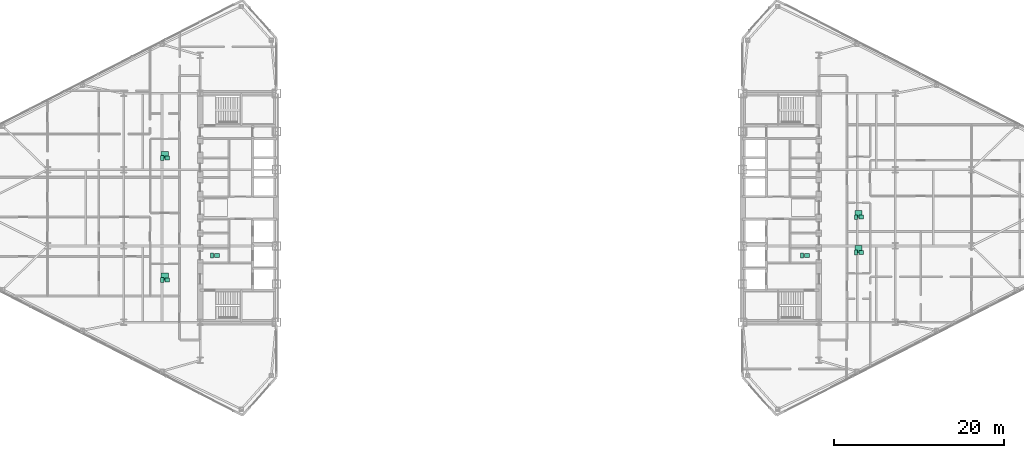
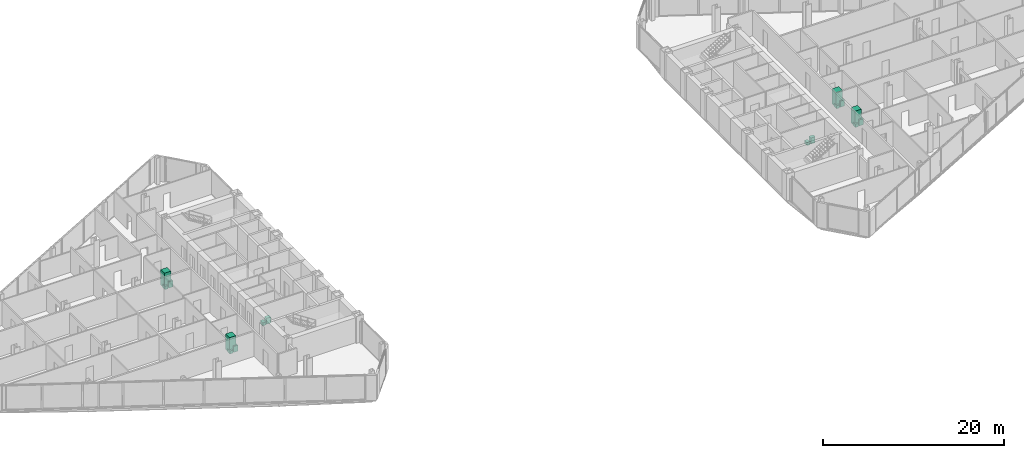
# One storey, part 24 of 24: 16 sanitary terminals.
"""IFC4 building model written with IfcOpenShell, lengths in metres."""

from ifc_helpers import new_model, si_unit, direction, frame, origin, origin_2d, place, context, subcontext, project, spatial, rectangle, extrude, source, transform, mapped, material, type_object, type_shapes, element, save


model = new_model("IFC4")

# Units and contexts
model_context = context("Model", 3, precision=1e-05, world=origin(), true_north=direction((0.0, 1.0)))
body_context = subcontext(model_context, "Body", "Model", "MODEL_VIEW")
ifc_project = project(units=[si_unit("LENGTHUNIT", "METRE"), si_unit("AREAUNIT", "SQUARE_METRE"), si_unit("VOLUMEUNIT", "CUBIC_METRE"), si_unit("PLANEANGLEUNIT", "RADIAN"), si_unit("MASSUNIT", "GRAM", prefix="KILO")], contexts=[model_context])

# Site, building, storey
site_placement = place(None, origin())
site = spatial("IfcSite", under=ifc_project, at=site_placement, CompositionType="ELEMENT")
building_placement = place(site_placement, origin())
building = spatial("IfcBuilding", under=site, at=building_placement, Name="Seokmaru Belvedere", CompositionType="ELEMENT")
storey_placement = place(building_placement, frame((0.0, 0.0, 124.800048828125)))
storey = spatial("IfcBuildingStorey", under=building, at=storey_placement, Name="L33", CompositionType="ELEMENT", Elevation=124.800048828125)

# Sanitary terminals
ifc_material_1 = material(Name="Vitreous China Sanitaryware")
sanitary_terminal_type_1 = type_object("IfcSanitaryTerminalType", Name="Wall-Hung Vitreous China WC Pan", PredefinedType="TOILETPAN", material=ifc_material_1)
shared_shape_1 = source(origin(), body_context, "Body", "SweptSolid", [
    extrude(rectangle(XDim=0.3798828125, YDim=0.56005859375, at=origin_2d()), origin(), (0.0, 0.0, 1.0), 0.419921875),
])
type_shapes(sanitary_terminal_type_1, [shared_shape_1])
for number, where, z_axis, x_axis, name in (
    (1, (-35.10009765625, -5.625, 0.0), (0.0, 0.0, 1.0), (1.0, 0.0, 0.0), "L33 Vitreous China WC 0186"),
    (2, (34.5, -5.625, 0.0), (0.0, 0.0, 1.0), (1.0, 0.0, 0.0), "L33 Vitreous China WC 0187"),
    (3, (-40.97509765625, -8.510986328125, 0.0), (0.0, 0.0, 1.0), (1.0, 0.0, 0.0), "L33 Vitreous China WC 0188"),
    (4, (-40.97509765625, 5.864013671875, 0.0), (0.0, 0.0, 1.0), (1.0, 0.0, 0.0), "L33 Vitreous China WC 0189"),
    (5, (40.875, -5.263916015625, 0.0), (0.0, 0.0, 1.0), (1.0, 0.0, 0.0), "L33 Vitreous China WC 0190"),
    (6, (40.875, -1.10009765625, 0.0), (0.0, 0.0, 1.0), (1.0, 0.0, 0.0), "L33 Vitreous China WC 0191"),
):
    element("IfcSanitaryTerminal", number, at=place(storey_placement, frame(where, z_axis=z_axis, x_axis=x_axis)), inside=storey, type_object=sanitary_terminal_type_1, Name=name, PredefinedType="TOILETPAN", context=body_context, shape_type="MappedRepresentation", body=[
        mapped(shared_shape_1, transform((0.0, 0.0, 0.0), scale=1.0)),
    ])
sanitary_terminal_type_2 = type_object("IfcSanitaryTerminalType", Name="Countertop Ceramic Washhand Basin", PredefinedType="WASHHANDBASIN", material=ifc_material_1)
shared_shape_2 = source(origin(), body_context, "Body", "SweptSolid", [
    extrude(rectangle(XDim=0.550048828125, YDim=0.449951171875, at=origin_2d()), origin(), (0.0, 0.0, 1.0), 0.820068359375),
])
type_shapes(sanitary_terminal_type_2, [shared_shape_2])
for number, where, z_axis, x_axis, name in (
    (7, (-34.5, -5.625, 0.0), (0.0, 0.0, 1.0), (1.0, 0.0, 0.0), "L33 Ceramic Washhand Basin 0186"),
    (8, (35.10009765625, -5.625, 0.0), (0.0, 0.0, 1.0), (1.0, 0.0, 0.0), "L33 Ceramic Washhand Basin 0187"),
    (9, (-40.375, -8.510986328125, 0.0), (0.0, 0.0, 1.0), (1.0, 0.0, 0.0), "L33 Ceramic Washhand Basin 0188"),
    (10, (-40.375, 5.864013671875, 0.0), (0.0, 0.0, 1.0), (1.0, 0.0, 0.0), "L33 Ceramic Washhand Basin 0189"),
    (11, (41.47509765625, -5.263916015625, 0.0), (0.0, 0.0, 1.0), (1.0, 0.0, 0.0), "L33 Ceramic Washhand Basin 0190"),
    (12, (41.47509765625, -1.10009765625, 0.0), (0.0, 0.0, 1.0), (1.0, 0.0, 0.0), "L33 Ceramic Washhand Basin 0191"),
):
    element("IfcSanitaryTerminal", number, at=place(storey_placement, frame(where, z_axis=z_axis, x_axis=x_axis)), inside=storey, type_object=sanitary_terminal_type_2, Name=name, PredefinedType="WASHHANDBASIN", context=body_context, shape_type="MappedRepresentation", body=[
        mapped(shared_shape_2, transform((0.0, 0.0, 0.0), scale=1.0)),
    ])
ifc_material_2 = material(Name="Stainless Steel 316", Category="steel")
sanitary_terminal_type_3 = type_object("IfcSanitaryTerminalType", Name="Walk-In Thermostatic Rain Shower Enclosure", PredefinedType="SHOWER", material=ifc_material_2)
shared_shape_3 = source(origin(), body_context, "Body", "SweptSolid", [
    extrude(rectangle(XDim=0.85009765625, YDim=0.85009765625, at=origin_2d()), origin(), (0.0, 0.0, 1.0), 2.050048828125),
])
type_shapes(sanitary_terminal_type_3, [shared_shape_3])
for number, where, z_axis, x_axis, name in (
    (13, (-40.675048828125, -8.131103515625, 0.0), (0.0, 0.0, 1.0), (1.0, 0.0, 0.0), "L33 Walk-In Shower 0188"),
    (14, (-40.675048828125, 6.243896484375, 0.0), (0.0, 0.0, 1.0), (1.0, 0.0, 0.0), "L33 Walk-In Shower 0189"),
    (15, (41.175048828125, -4.884033203125, 0.0), (0.0, 0.0, 1.0), (1.0, 0.0, 0.0), "L33 Walk-In Shower 0190"),
    (16, (41.175048828125, -0.719970703125, 0.0), (0.0, 0.0, 1.0), (1.0, 0.0, 0.0), "L33 Walk-In Shower 0191"),
):
    element("IfcSanitaryTerminal", number, at=place(storey_placement, frame(where, z_axis=z_axis, x_axis=x_axis)), inside=storey, type_object=sanitary_terminal_type_3, Name=name, PredefinedType="SHOWER", context=body_context, shape_type="MappedRepresentation", body=[
        mapped(shared_shape_3, transform((0.0, 0.0, 0.0), scale=1.0)),
    ])

save(model, "model.ifc")
